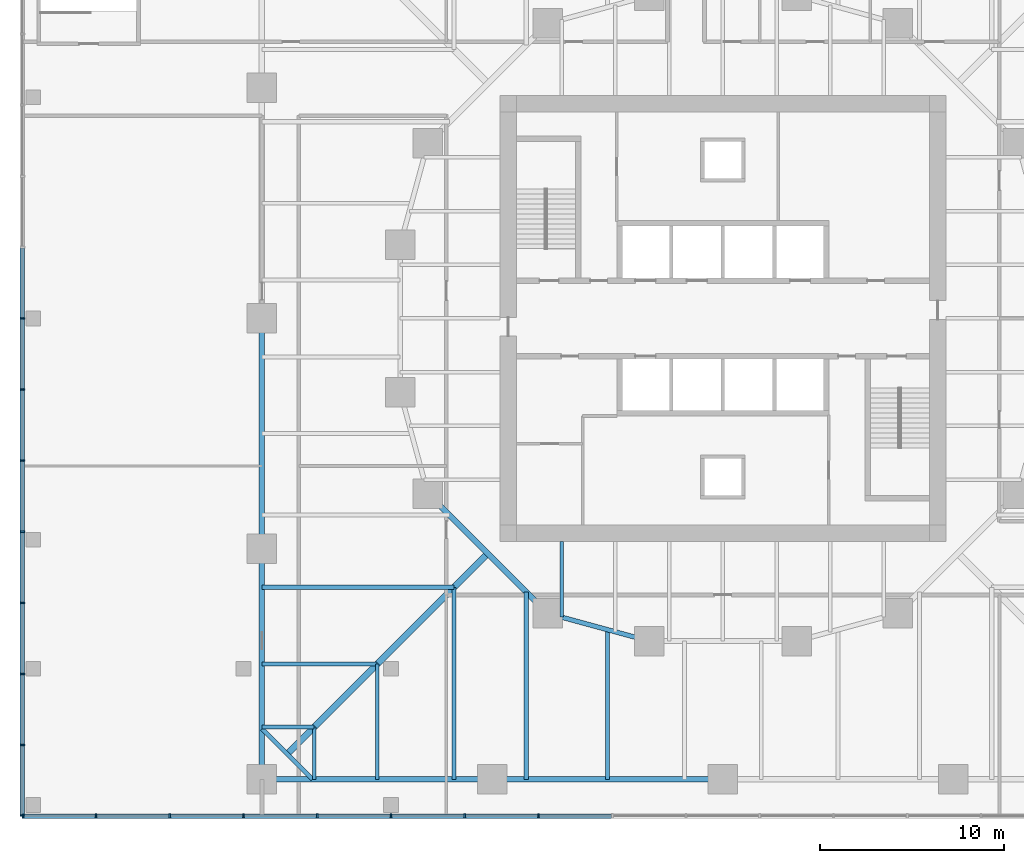
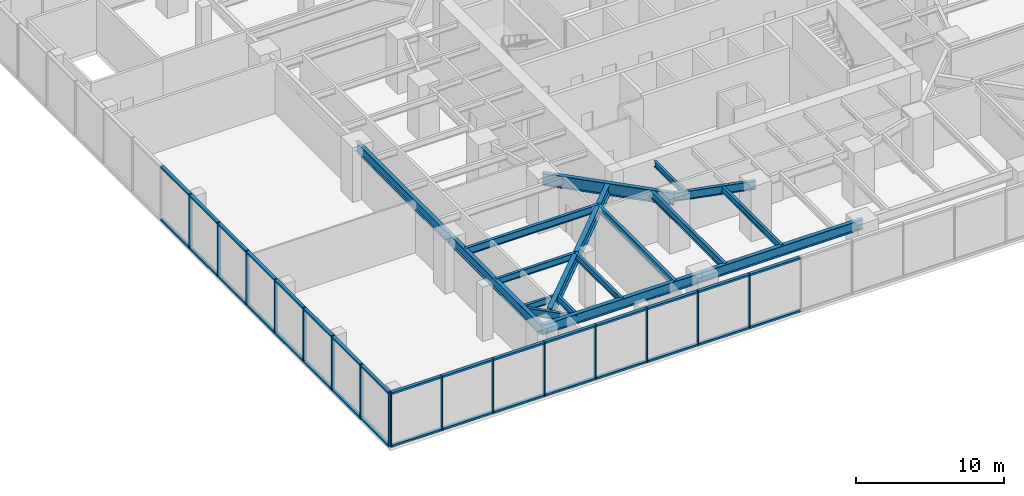
# One storey, part 2 of 14: 48 members, 17 beams, 2 elements without a shape of their own.
"""IFC4 building model written with IfcOpenShell, lengths in metres."""

from ifc_helpers import new_model, si_unit, direction, frame, origin, origin_2d, place, context, subcontext, project, spatial, rectangle, i_section, extrude, material, material_profile, profile_set, type_object, element, aggregate, save


model = new_model("IFC4")

# Units and contexts
model_context = context("Model", 3, precision=1e-05, world=origin(), true_north=direction((0.0, 1.0)))
body_context = subcontext(model_context, "Body", "Model", "MODEL_VIEW")
ifc_project = project(units=[si_unit("LENGTHUNIT", "METRE"), si_unit("AREAUNIT", "SQUARE_METRE"), si_unit("VOLUMEUNIT", "CUBIC_METRE"), si_unit("PLANEANGLEUNIT", "RADIAN"), si_unit("MASSUNIT", "GRAM", prefix="KILO")], contexts=[model_context])

# Site, building, storey
site_placement = place(None, origin())
site = spatial("IfcSite", under=ifc_project, at=site_placement, CompositionType="ELEMENT")
building_placement = place(site_placement, origin())
building = spatial("IfcBuilding", under=site, at=building_placement, Name="Torsade Residences", CompositionType="ELEMENT")
storey_placement = place(building_placement, frame((0.0, 0.0, 10.5)))
storey = spatial("IfcBuildingStorey", under=building, at=storey_placement, Name="L02", CompositionType="ELEMENT", Elevation=10.5)

# Beams
ifc_material_1 = material(Name="Steel grade 300", Category="steel")
ifc_material_profile_1 = material_profile(ifc_material_1, i_section(OverallWidth=0.35009765625, OverallDepth=0.909912109375, WebThickness=0.011962890625, FlangeThickness=0.02490234375, at=origin_2d()), Name="900WB218")
ifc_profile_set_1 = profile_set([ifc_material_profile_1], Name="Steel grade 300")
beam_type_1 = type_object("IfcBeamType", Name="CORNER GIRDER 900WB218", PredefinedType="BEAM", material=ifc_profile_set_1)
beam_1_placement = place(storey_placement, frame((16.375, 6.375, 3.89501953125), z_axis=(0.707106781187, 0.707106781187, 0.0), x_axis=(-0.707106781187, 0.707106781187, 0.0)))
element("IfcBeam", 1, at=beam_1_placement, inside=storey, type_object=beam_type_1, Name="Corner girder 01 L03", PredefinedType="BEAM", context=body_context, shape_type="SweptSolid", body=[
    extrude(i_section(OverallWidth=0.35009765625, OverallDepth=0.909912109375, WebThickness=0.011962890625, FlangeThickness=0.02490234375, at=origin_2d()), origin(), (0.0, 0.0, 1.0), 15.379638671875),
])
ifc_material_2 = material(Name="Steel grade 300", Category="steel")
ifc_material_profile_2 = material_profile(ifc_material_2, i_section(OverallWidth=0.22802734375, OverallDepth=0.60205078125, WebThickness=0.010498046875, FlangeThickness=0.014892578125, FilletRadius=0.013916015625, at=origin_2d()), Name="610UB101")
ifc_profile_set_2 = profile_set([ifc_material_profile_2], Name="Steel grade 300")
beam_type_2 = type_object("IfcBeamType", Name="CORNER TRIMMER 610UB101", PredefinedType="BEAM", material=ifc_profile_set_2)
beam_2_placement = place(storey_placement, frame((17.75, 5.0, 3.84912109375), z_axis=(-0.707106781187, 0.707106781187, 0.0), x_axis=(-0.707106781187, -0.707106781187, 0.0)))
element("IfcBeam", 2, at=beam_2_placement, inside=storey, type_object=beam_type_2, Name="Corner trimmer 01 L03", PredefinedType="BEAM", context=body_context, shape_type="SweptSolid", body=[
    extrude(i_section(OverallWidth=0.22802734375, OverallDepth=0.60205078125, WebThickness=0.010498046875, FlangeThickness=0.014892578125, FilletRadius=0.013916015625, at=origin_2d()), origin(), (0.0, 0.0, 1.0), 3.88916015625),
])
ifc_material_3 = material(Name="Steel grade 300", Category="steel")
ifc_material_profile_3 = material_profile(ifc_material_3, i_section(OverallWidth=0.300048828125, OverallDepth=0.81591796875, WebThickness=0.010009765625, FlangeThickness=0.028076171875, at=origin_2d()), Name="800WB192")
ifc_profile_set_3 = profile_set([ifc_material_profile_3], Name="Steel grade 300")
beam_type_3 = type_object("IfcBeamType", Name="EDGE BEAM 800WB192", PredefinedType="SPANDREL", material=ifc_profile_set_3)
for number, where, z_axis, x_axis, name in (
    (3, (15.0, 5.0, 3.94189453125), (1.0, 0.0, 0.0), (0.0, 1.0, 0.0), "Edge beam 01 L03"),
    (4, (27.5, 5.0, 3.94189453125), (1.0, 0.0, 0.0), (0.0, 1.0, 0.0), "Edge beam 02 L03"),
    (5, (15.0, 30.0, 3.94189453125), (0.0, -1.0, 0.0), (1.0, 0.0, 0.0), "Edge beam 15 L03"),
    (6, (15.0, 17.5, 3.94189453125), (0.0, -1.0, 0.0), (1.0, 0.0, 0.0), "Edge beam 16 L03"),
):
    element("IfcBeam", number, at=place(storey_placement, frame(where, z_axis=z_axis, x_axis=x_axis)), inside=storey, type_object=beam_type_3, Name=name, PredefinedType="SPANDREL", context=body_context, shape_type="SweptSolid", body=[
        extrude(i_section(OverallWidth=0.300048828125, OverallDepth=0.81591796875, WebThickness=0.010009765625, FlangeThickness=0.028076171875, at=origin_2d()), origin(), (0.0, 0.0, 1.0), 12.5),
    ])
ifc_material_4 = material(Name="Steel grade 300", Category="steel")
ifc_material_profile_4 = material_profile(ifc_material_4, i_section(OverallWidth=0.18994140625, OverallDepth=0.4541015625, WebThickness=0.008544921875, FlangeThickness=0.0126953125, FilletRadius=0.011474609375, at=origin_2d()), Name="460UB67.1")
ifc_profile_set_4 = profile_set([ifc_material_profile_4], Name="Steel grade 300")
beam_type_4 = type_object("IfcBeamType", Name="INNER FLOOR BEAM 460UB67.1", PredefinedType="JOIST", material=ifc_profile_set_4)
beam_3_placement = place(storey_placement, frame((31.262451171875, 17.89990234375, 4.123046875), z_axis=(0.0, -1.0, 0.0), x_axis=(1.0, 0.0, 0.0)))
element("IfcBeam", 7, at=beam_3_placement, inside=storey, type_object=beam_type_4, Name="Inner floor beam IS07 L03", PredefinedType="JOIST", context=body_context, shape_type="SweptSolid", body=[
    extrude(i_section(OverallWidth=0.18994140625, OverallDepth=0.4541015625, WebThickness=0.008544921875, FlangeThickness=0.0126953125, FilletRadius=0.011474609375, at=origin_2d()), origin(), (0.0, 0.0, 1.0), 4.10791015625),
])

# Curtain wall, members
ifc_material_5 = material(Name="Aluminium and glass", Category="aluminium")
curtain_wall_type = type_object("IfcCurtainWallType", Name="PODIUM CURTAIN WALL", PredefinedType="NOTDEFINED", material=ifc_material_5)
curtain_wall_1_placement = place(storey_placement, origin())
curtain_wall_1 = element("IfcCurtainWall", 8, at=curtain_wall_1_placement, inside=storey, type_object=curtain_wall_type, Name="Podium curtain wall L02 S", PredefinedType="NOTDEFINED")
ifc_material_6 = material(Name="Aluminium mullion", Category="aluminium")
ifc_material_profile_5 = material_profile(ifc_material_6, rectangle(XDim=0.25, YDim=0.090087890625, at=origin_2d()), Name="PODIUM CURTAIN WALL MULLION 250x90")
ifc_profile_set_5 = profile_set([ifc_material_profile_5], Name="Aluminium mullion")
member_type_1 = type_object("IfcMemberType", Name="PODIUM CURTAIN WALL MULLION 250x90", PredefinedType="MULLION", material=ifc_profile_set_5)
member_1_placement = place(storey_placement, frame((2.044921875, 3.0, 0.0), z_axis=(0.0, 0.0, 1.0), x_axis=(0.0, 1.0, 0.0)))
member_1 = element("IfcMember", 9, at=member_1_placement, type_object=member_type_1, Name="Mullion 1", PredefinedType="MULLION", context=body_context, shape_type="SweptSolid", body=[
    extrude(rectangle(XDim=0.25, YDim=0.090087890625, at=origin_2d()), origin(), (0.0, 0.0, 1.0), 4.5),
])
member_2_placement = place(storey_placement, frame((6.0, 3.0, 0.0), z_axis=(0.0, 0.0, 1.0), x_axis=(0.0, 1.0, 0.0)))
member_2 = element("IfcMember", 10, at=member_2_placement, type_object=member_type_1, Name="Mullion 2", PredefinedType="MULLION", context=body_context, shape_type="SweptSolid", body=[
    extrude(rectangle(XDim=0.25, YDim=0.090087890625, at=origin_2d()), origin(), (0.0, 0.0, 1.0), 4.5),
])
member_3_placement = place(storey_placement, frame((10.0, 3.0, 0.0), z_axis=(0.0, 0.0, 1.0), x_axis=(0.0, 1.0, 0.0)))
member_3 = element("IfcMember", 11, at=member_3_placement, type_object=member_type_1, Name="Mullion 3", PredefinedType="MULLION", context=body_context, shape_type="SweptSolid", body=[
    extrude(rectangle(XDim=0.25, YDim=0.090087890625, at=origin_2d()), origin(), (0.0, 0.0, 1.0), 4.5),
])
member_4_placement = place(storey_placement, frame((14.0, 3.0, 0.0), z_axis=(0.0, 0.0, 1.0), x_axis=(0.0, 1.0, 0.0)))
member_4 = element("IfcMember", 12, at=member_4_placement, type_object=member_type_1, Name="Mullion 4", PredefinedType="MULLION", context=body_context, shape_type="SweptSolid", body=[
    extrude(rectangle(XDim=0.25, YDim=0.090087890625, at=origin_2d()), origin(), (0.0, 0.0, 1.0), 4.5),
])
member_5_placement = place(storey_placement, frame((18.0, 3.0, 0.0), z_axis=(0.0, 0.0, 1.0), x_axis=(0.0, 1.0, 0.0)))
member_5 = element("IfcMember", 13, at=member_5_placement, type_object=member_type_1, Name="Mullion 5", PredefinedType="MULLION", context=body_context, shape_type="SweptSolid", body=[
    extrude(rectangle(XDim=0.25, YDim=0.090087890625, at=origin_2d()), origin(), (0.0, 0.0, 1.0), 4.5),
])
member_6_placement = place(storey_placement, frame((22.0, 3.0, 0.0), z_axis=(0.0, 0.0, 1.0), x_axis=(0.0, 1.0, 0.0)))
member_6 = element("IfcMember", 14, at=member_6_placement, type_object=member_type_1, Name="Mullion 6", PredefinedType="MULLION", context=body_context, shape_type="SweptSolid", body=[
    extrude(rectangle(XDim=0.25, YDim=0.090087890625, at=origin_2d()), origin(), (0.0, 0.0, 1.0), 4.5),
])
member_7_placement = place(storey_placement, frame((26.0, 3.0, 0.0), z_axis=(0.0, 0.0, 1.0), x_axis=(0.0, 1.0, 0.0)))
member_7 = element("IfcMember", 15, at=member_7_placement, type_object=member_type_1, Name="Mullion 7", PredefinedType="MULLION", context=body_context, shape_type="SweptSolid", body=[
    extrude(rectangle(XDim=0.25, YDim=0.090087890625, at=origin_2d()), origin(), (0.0, 0.0, 1.0), 4.5),
])
member_8_placement = place(storey_placement, frame((30.0, 3.0, 0.0), z_axis=(0.0, 0.0, 1.0), x_axis=(0.0, 1.0, 0.0)))
member_8 = element("IfcMember", 16, at=member_8_placement, type_object=member_type_1, Name="Mullion 8", PredefinedType="MULLION", context=body_context, shape_type="SweptSolid", body=[
    extrude(rectangle(XDim=0.25, YDim=0.090087890625, at=origin_2d()), origin(), (0.0, 0.0, 1.0), 4.5),
])

curtain_wall_2_placement = place(storey_placement, origin())
curtain_wall_2 = element("IfcCurtainWall", 17, at=curtain_wall_2_placement, inside=storey, type_object=curtain_wall_type, Name="Podium curtain wall L02 W", PredefinedType="NOTDEFINED")
member_9_placement = place(storey_placement, frame((2.0, 30.0, 0.0), z_axis=(0.0, 0.0, 1.0), x_axis=(1.0, 0.0, 0.0)))
member_9 = element("IfcMember", 18, at=member_9_placement, type_object=member_type_1, Name="Mullion 8", PredefinedType="MULLION", context=body_context, shape_type="SweptSolid", body=[
    extrude(rectangle(XDim=0.25, YDim=0.090087890625, at=origin_2d()), origin(), (0.0, 0.0, 1.0), 4.5),
])
member_10_placement = place(storey_placement, frame((2.0, 26.142822265625, 0.0), z_axis=(0.0, 0.0, 1.0), x_axis=(1.0, 0.0, 0.0)))
member_10 = element("IfcMember", 19, at=member_10_placement, type_object=member_type_1, Name="Mullion 9", PredefinedType="MULLION", context=body_context, shape_type="SweptSolid", body=[
    extrude(rectangle(XDim=0.25, YDim=0.090087890625, at=origin_2d()), origin(), (0.0, 0.0, 1.0), 4.5),
])
member_11_placement = place(storey_placement, frame((2.0, 22.28564453125, 0.0), z_axis=(0.0, 0.0, 1.0), x_axis=(1.0, 0.0, 0.0)))
member_11 = element("IfcMember", 20, at=member_11_placement, type_object=member_type_1, Name="Mullion 10", PredefinedType="MULLION", context=body_context, shape_type="SweptSolid", body=[
    extrude(rectangle(XDim=0.25, YDim=0.090087890625, at=origin_2d()), origin(), (0.0, 0.0, 1.0), 4.5),
])
member_12_placement = place(storey_placement, frame((2.0, 18.428466796875, 0.0), z_axis=(0.0, 0.0, 1.0), x_axis=(1.0, 0.0, 0.0)))
member_12 = element("IfcMember", 21, at=member_12_placement, type_object=member_type_1, Name="Mullion 11", PredefinedType="MULLION", context=body_context, shape_type="SweptSolid", body=[
    extrude(rectangle(XDim=0.25, YDim=0.090087890625, at=origin_2d()), origin(), (0.0, 0.0, 1.0), 4.5),
])
member_13_placement = place(storey_placement, frame((2.0, 14.571533203125, 0.0), z_axis=(0.0, 0.0, 1.0), x_axis=(1.0, 0.0, 0.0)))
member_13 = element("IfcMember", 22, at=member_13_placement, type_object=member_type_1, Name="Mullion 12", PredefinedType="MULLION", context=body_context, shape_type="SweptSolid", body=[
    extrude(rectangle(XDim=0.25, YDim=0.090087890625, at=origin_2d()), origin(), (0.0, 0.0, 1.0), 4.5),
])
member_14_placement = place(storey_placement, frame((2.0, 10.71435546875, 0.0), z_axis=(0.0, 0.0, 1.0), x_axis=(1.0, 0.0, 0.0)))
member_14 = element("IfcMember", 23, at=member_14_placement, type_object=member_type_1, Name="Mullion 13", PredefinedType="MULLION", context=body_context, shape_type="SweptSolid", body=[
    extrude(rectangle(XDim=0.25, YDim=0.090087890625, at=origin_2d()), origin(), (0.0, 0.0, 1.0), 4.5),
])
member_15_placement = place(storey_placement, frame((2.0, 6.857177734375, 0.0), z_axis=(0.0, 0.0, 1.0), x_axis=(1.0, 0.0, 0.0)))
member_15 = element("IfcMember", 24, at=member_15_placement, type_object=member_type_1, Name="Mullion 14", PredefinedType="MULLION", context=body_context, shape_type="SweptSolid", body=[
    extrude(rectangle(XDim=0.25, YDim=0.090087890625, at=origin_2d()), origin(), (0.0, 0.0, 1.0), 4.5),
])
member_16_placement = place(storey_placement, frame((2.0, 3.044921875, 0.0), z_axis=(0.0, 0.0, 1.0), x_axis=(1.0, 0.0, 0.0)))
member_16 = element("IfcMember", 25, at=member_16_placement, type_object=member_type_1, Name="Mullion 15", PredefinedType="MULLION", context=body_context, shape_type="SweptSolid", body=[
    extrude(rectangle(XDim=0.25, YDim=0.090087890625, at=origin_2d()), origin(), (0.0, 0.0, 1.0), 4.5),
])

# Member
ifc_material_7 = material(Name="Aluminium transom", Category="aluminium")
ifc_material_profile_6 = material_profile(ifc_material_7, rectangle(XDim=0.25, YDim=0.14990234375, at=origin_2d()), Name="PODIUM CURTAIN WALL TRANSOM 250x150")
ifc_profile_set_6 = profile_set([ifc_material_profile_6], Name="Aluminium transom")
member_type_2 = type_object("IfcMemberType", Name="PODIUM CURTAIN WALL TRANSOM 250x150", PredefinedType="USERDEFINED", material=ifc_profile_set_6)
member_17_placement = place(storey_placement, frame((2.090087890625, 3.0, 0.074951171875), z_axis=(1.0, 0.0, 0.0), x_axis=(0.0, 1.0, 0.0)))
member_17 = element("IfcMember", 26, at=member_17_placement, type_object=member_type_2, Name="Transom 1.1", ObjectType="TRANSOM", PredefinedType="USERDEFINED", context=body_context, shape_type="SweptSolid", body=[
    extrude(rectangle(XDim=0.25, YDim=0.14990234375, at=origin_2d()), origin(), (0.0, 0.0, 1.0), 3.864990234375),
])

member_18_placement = place(storey_placement, frame((2.090087890625, 3.0, 4.425048828125), z_axis=(1.0, 0.0, 0.0), x_axis=(0.0, 1.0, 0.0)))
member_18 = element("IfcMember", 27, at=member_18_placement, type_object=member_type_2, Name="Transom 1.2", ObjectType="TRANSOM", PredefinedType="USERDEFINED", context=body_context, shape_type="SweptSolid", body=[
    extrude(rectangle(XDim=0.25, YDim=0.14990234375, at=origin_2d()), origin(), (0.0, 0.0, 1.0), 3.864990234375),
])

member_19_placement = place(storey_placement, frame((6.044921875, 3.0, 0.074951171875), z_axis=(1.0, 0.0, 0.0), x_axis=(0.0, 1.0, 0.0)))
member_19 = element("IfcMember", 28, at=member_19_placement, type_object=member_type_2, Name="Transom 2.1", ObjectType="TRANSOM", PredefinedType="USERDEFINED", context=body_context, shape_type="SweptSolid", body=[
    extrude(rectangle(XDim=0.25, YDim=0.14990234375, at=origin_2d()), origin(), (0.0, 0.0, 1.0), 3.91015625),
])

member_20_placement = place(storey_placement, frame((6.044921875, 3.0, 4.425048828125), z_axis=(1.0, 0.0, 0.0), x_axis=(0.0, 1.0, 0.0)))
member_20 = element("IfcMember", 29, at=member_20_placement, type_object=member_type_2, Name="Transom 2.2", ObjectType="TRANSOM", PredefinedType="USERDEFINED", context=body_context, shape_type="SweptSolid", body=[
    extrude(rectangle(XDim=0.25, YDim=0.14990234375, at=origin_2d()), origin(), (0.0, 0.0, 1.0), 3.91015625),
])

member_21_placement = place(storey_placement, frame((10.044921875, 3.0, 0.074951171875), z_axis=(1.0, 0.0, 0.0), x_axis=(0.0, 1.0, 0.0)))
member_21 = element("IfcMember", 30, at=member_21_placement, type_object=member_type_2, Name="Transom 3.1", ObjectType="TRANSOM", PredefinedType="USERDEFINED", context=body_context, shape_type="SweptSolid", body=[
    extrude(rectangle(XDim=0.25, YDim=0.14990234375, at=origin_2d()), origin(), (0.0, 0.0, 1.0), 3.91015625),
])

member_22_placement = place(storey_placement, frame((10.044921875, 3.0, 4.425048828125), z_axis=(1.0, 0.0, 0.0), x_axis=(0.0, 1.0, 0.0)))
member_22 = element("IfcMember", 31, at=member_22_placement, type_object=member_type_2, Name="Transom 3.2", ObjectType="TRANSOM", PredefinedType="USERDEFINED", context=body_context, shape_type="SweptSolid", body=[
    extrude(rectangle(XDim=0.25, YDim=0.14990234375, at=origin_2d()), origin(), (0.0, 0.0, 1.0), 3.91015625),
])

member_23_placement = place(storey_placement, frame((14.044921875, 3.0, 0.074951171875), z_axis=(1.0, 0.0, 0.0), x_axis=(0.0, 1.0, 0.0)))
member_23 = element("IfcMember", 32, at=member_23_placement, type_object=member_type_2, Name="Transom 4.1", ObjectType="TRANSOM", PredefinedType="USERDEFINED", context=body_context, shape_type="SweptSolid", body=[
    extrude(rectangle(XDim=0.25, YDim=0.14990234375, at=origin_2d()), origin(), (0.0, 0.0, 1.0), 3.91015625),
])

member_24_placement = place(storey_placement, frame((14.044921875, 3.0, 4.425048828125), z_axis=(1.0, 0.0, 0.0), x_axis=(0.0, 1.0, 0.0)))
member_24 = element("IfcMember", 33, at=member_24_placement, type_object=member_type_2, Name="Transom 4.2", ObjectType="TRANSOM", PredefinedType="USERDEFINED", context=body_context, shape_type="SweptSolid", body=[
    extrude(rectangle(XDim=0.25, YDim=0.14990234375, at=origin_2d()), origin(), (0.0, 0.0, 1.0), 3.91015625),
])

member_25_placement = place(storey_placement, frame((18.044921875, 3.0, 0.074951171875), z_axis=(1.0, 0.0, 0.0), x_axis=(0.0, 1.0, 0.0)))
member_25 = element("IfcMember", 34, at=member_25_placement, type_object=member_type_2, Name="Transom 5.1", ObjectType="TRANSOM", PredefinedType="USERDEFINED", context=body_context, shape_type="SweptSolid", body=[
    extrude(rectangle(XDim=0.25, YDim=0.14990234375, at=origin_2d()), origin(), (0.0, 0.0, 1.0), 3.91015625),
])

member_26_placement = place(storey_placement, frame((18.044921875, 3.0, 4.425048828125), z_axis=(1.0, 0.0, 0.0), x_axis=(0.0, 1.0, 0.0)))
member_26 = element("IfcMember", 35, at=member_26_placement, type_object=member_type_2, Name="Transom 5.2", ObjectType="TRANSOM", PredefinedType="USERDEFINED", context=body_context, shape_type="SweptSolid", body=[
    extrude(rectangle(XDim=0.25, YDim=0.14990234375, at=origin_2d()), origin(), (0.0, 0.0, 1.0), 3.91015625),
])

member_27_placement = place(storey_placement, frame((22.044921875, 3.0, 0.074951171875), z_axis=(1.0, 0.0, 0.0), x_axis=(0.0, 1.0, 0.0)))
member_27 = element("IfcMember", 36, at=member_27_placement, type_object=member_type_2, Name="Transom 6.1", ObjectType="TRANSOM", PredefinedType="USERDEFINED", context=body_context, shape_type="SweptSolid", body=[
    extrude(rectangle(XDim=0.25, YDim=0.14990234375, at=origin_2d()), origin(), (0.0, 0.0, 1.0), 3.91015625),
])

member_28_placement = place(storey_placement, frame((22.044921875, 3.0, 4.425048828125), z_axis=(1.0, 0.0, 0.0), x_axis=(0.0, 1.0, 0.0)))
member_28 = element("IfcMember", 37, at=member_28_placement, type_object=member_type_2, Name="Transom 6.2", ObjectType="TRANSOM", PredefinedType="USERDEFINED", context=body_context, shape_type="SweptSolid", body=[
    extrude(rectangle(XDim=0.25, YDim=0.14990234375, at=origin_2d()), origin(), (0.0, 0.0, 1.0), 3.91015625),
])

member_29_placement = place(storey_placement, frame((26.044921875, 3.0, 0.074951171875), z_axis=(1.0, 0.0, 0.0), x_axis=(0.0, 1.0, 0.0)))
member_29 = element("IfcMember", 38, at=member_29_placement, type_object=member_type_2, Name="Transom 7.1", ObjectType="TRANSOM", PredefinedType="USERDEFINED", context=body_context, shape_type="SweptSolid", body=[
    extrude(rectangle(XDim=0.25, YDim=0.14990234375, at=origin_2d()), origin(), (0.0, 0.0, 1.0), 3.91015625),
])

member_30_placement = place(storey_placement, frame((26.044921875, 3.0, 4.425048828125), z_axis=(1.0, 0.0, 0.0), x_axis=(0.0, 1.0, 0.0)))
member_30 = element("IfcMember", 39, at=member_30_placement, type_object=member_type_2, Name="Transom 7.2", ObjectType="TRANSOM", PredefinedType="USERDEFINED", context=body_context, shape_type="SweptSolid", body=[
    extrude(rectangle(XDim=0.25, YDim=0.14990234375, at=origin_2d()), origin(), (0.0, 0.0, 1.0), 3.91015625),
])

member_31_placement = place(storey_placement, frame((30.044921875, 3.0, 0.074951171875), z_axis=(1.0, 0.0, 0.0), x_axis=(0.0, 1.0, 0.0)))
member_31 = element("IfcMember", 40, at=member_31_placement, type_object=member_type_2, Name="Transom 8.1", ObjectType="TRANSOM", PredefinedType="USERDEFINED", context=body_context, shape_type="SweptSolid", body=[
    extrude(rectangle(XDim=0.25, YDim=0.14990234375, at=origin_2d()), origin(), (0.0, 0.0, 1.0), 3.91015625),
])

member_32_placement = place(storey_placement, frame((30.044921875, 3.0, 4.425048828125), z_axis=(1.0, 0.0, 0.0), x_axis=(0.0, 1.0, 0.0)))
member_32 = element("IfcMember", 41, at=member_32_placement, type_object=member_type_2, Name="Transom 8.2", ObjectType="TRANSOM", PredefinedType="USERDEFINED", context=body_context, shape_type="SweptSolid", body=[
    extrude(rectangle(XDim=0.25, YDim=0.14990234375, at=origin_2d()), origin(), (0.0, 0.0, 1.0), 3.91015625),
])

aggregate(curtain_wall_1, [member_1, member_2, member_3, member_4, member_5, member_6, member_7, member_8, member_17, member_18, member_19, member_20, member_21, member_22, member_23, member_24, member_25, member_26, member_27, member_28, member_29, member_30, member_31, member_32])

member_33_placement = place(storey_placement, frame((2.0, 33.812255859375, 0.074951171875), z_axis=(0.0, -1.0, 0.0), x_axis=(1.0, 0.0, 0.0)))
member_33 = element("IfcMember", 42, at=member_33_placement, type_object=member_type_2, Name="Transom 7.1", ObjectType="TRANSOM", PredefinedType="USERDEFINED", context=body_context, shape_type="SweptSolid", body=[
    extrude(rectangle(XDim=0.25, YDim=0.14990234375, at=origin_2d()), origin(), (0.0, 0.0, 1.0), 3.767333984375),
])

member_34_placement = place(storey_placement, frame((2.0, 33.812255859375, 4.425048828125), z_axis=(0.0, -1.0, 0.0), x_axis=(1.0, 0.0, 0.0)))
member_34 = element("IfcMember", 43, at=member_34_placement, type_object=member_type_2, Name="Transom 7.2", ObjectType="TRANSOM", PredefinedType="USERDEFINED", context=body_context, shape_type="SweptSolid", body=[
    extrude(rectangle(XDim=0.25, YDim=0.14990234375, at=origin_2d()), origin(), (0.0, 0.0, 1.0), 3.767333984375),
])

member_35_placement = place(storey_placement, frame((2.0, 29.955078125, 0.074951171875), z_axis=(0.0, -1.0, 0.0), x_axis=(1.0, 0.0, 0.0)))
member_35 = element("IfcMember", 44, at=member_35_placement, type_object=member_type_2, Name="Transom 8.1", ObjectType="TRANSOM", PredefinedType="USERDEFINED", context=body_context, shape_type="SweptSolid", body=[
    extrude(rectangle(XDim=0.25, YDim=0.14990234375, at=origin_2d()), origin(), (0.0, 0.0, 1.0), 3.767333984375),
])

member_36_placement = place(storey_placement, frame((2.0, 29.955078125, 4.425048828125), z_axis=(0.0, -1.0, 0.0), x_axis=(1.0, 0.0, 0.0)))
member_36 = element("IfcMember", 45, at=member_36_placement, type_object=member_type_2, Name="Transom 8.2", ObjectType="TRANSOM", PredefinedType="USERDEFINED", context=body_context, shape_type="SweptSolid", body=[
    extrude(rectangle(XDim=0.25, YDim=0.14990234375, at=origin_2d()), origin(), (0.0, 0.0, 1.0), 3.767333984375),
])

member_37_placement = place(storey_placement, frame((2.0, 26.097900390625, 0.074951171875), z_axis=(0.0, -1.0, 0.0), x_axis=(1.0, 0.0, 0.0)))
member_37 = element("IfcMember", 46, at=member_37_placement, type_object=member_type_2, Name="Transom 9.1", ObjectType="TRANSOM", PredefinedType="USERDEFINED", context=body_context, shape_type="SweptSolid", body=[
    extrude(rectangle(XDim=0.25, YDim=0.14990234375, at=origin_2d()), origin(), (0.0, 0.0, 1.0), 3.76708984375),
])

member_38_placement = place(storey_placement, frame((2.0, 26.097900390625, 4.425048828125), z_axis=(0.0, -1.0, 0.0), x_axis=(1.0, 0.0, 0.0)))
member_38 = element("IfcMember", 47, at=member_38_placement, type_object=member_type_2, Name="Transom 9.2", ObjectType="TRANSOM", PredefinedType="USERDEFINED", context=body_context, shape_type="SweptSolid", body=[
    extrude(rectangle(XDim=0.25, YDim=0.14990234375, at=origin_2d()), origin(), (0.0, 0.0, 1.0), 3.76708984375),
])

member_39_placement = place(storey_placement, frame((2.0, 22.24072265625, 0.074951171875), z_axis=(0.0, -1.0, 0.0), x_axis=(1.0, 0.0, 0.0)))
member_39 = element("IfcMember", 48, at=member_39_placement, type_object=member_type_2, Name="Transom 10.1", ObjectType="TRANSOM", PredefinedType="USERDEFINED", context=body_context, shape_type="SweptSolid", body=[
    extrude(rectangle(XDim=0.25, YDim=0.14990234375, at=origin_2d()), origin(), (0.0, 0.0, 1.0), 3.76708984375),
])

member_40_placement = place(storey_placement, frame((2.0, 22.24072265625, 4.425048828125), z_axis=(0.0, -1.0, 0.0), x_axis=(1.0, 0.0, 0.0)))
member_40 = element("IfcMember", 49, at=member_40_placement, type_object=member_type_2, Name="Transom 10.2", ObjectType="TRANSOM", PredefinedType="USERDEFINED", context=body_context, shape_type="SweptSolid", body=[
    extrude(rectangle(XDim=0.25, YDim=0.14990234375, at=origin_2d()), origin(), (0.0, 0.0, 1.0), 3.76708984375),
])

member_41_placement = place(storey_placement, frame((2.0, 18.383544921875, 0.074951171875), z_axis=(0.0, -1.0, 0.0), x_axis=(1.0, 0.0, 0.0)))
member_41 = element("IfcMember", 50, at=member_41_placement, type_object=member_type_2, Name="Transom 11.1", ObjectType="TRANSOM", PredefinedType="USERDEFINED", context=body_context, shape_type="SweptSolid", body=[
    extrude(rectangle(XDim=0.25, YDim=0.14990234375, at=origin_2d()), origin(), (0.0, 0.0, 1.0), 3.76708984375),
])

member_42_placement = place(storey_placement, frame((2.0, 18.383544921875, 4.425048828125), z_axis=(0.0, -1.0, 0.0), x_axis=(1.0, 0.0, 0.0)))
member_42 = element("IfcMember", 51, at=member_42_placement, type_object=member_type_2, Name="Transom 11.2", ObjectType="TRANSOM", PredefinedType="USERDEFINED", context=body_context, shape_type="SweptSolid", body=[
    extrude(rectangle(XDim=0.25, YDim=0.14990234375, at=origin_2d()), origin(), (0.0, 0.0, 1.0), 3.76708984375),
])

member_43_placement = place(storey_placement, frame((2.0, 14.5263671875, 0.074951171875), z_axis=(0.0, -1.0, 0.0), x_axis=(1.0, 0.0, 0.0)))
member_43 = element("IfcMember", 52, at=member_43_placement, type_object=member_type_2, Name="Transom 12.1", ObjectType="TRANSOM", PredefinedType="USERDEFINED", context=body_context, shape_type="SweptSolid", body=[
    extrude(rectangle(XDim=0.25, YDim=0.14990234375, at=origin_2d()), origin(), (0.0, 0.0, 1.0), 3.76708984375),
])

member_44_placement = place(storey_placement, frame((2.0, 14.5263671875, 4.425048828125), z_axis=(0.0, -1.0, 0.0), x_axis=(1.0, 0.0, 0.0)))
member_44 = element("IfcMember", 53, at=member_44_placement, type_object=member_type_2, Name="Transom 12.2", ObjectType="TRANSOM", PredefinedType="USERDEFINED", context=body_context, shape_type="SweptSolid", body=[
    extrude(rectangle(XDim=0.25, YDim=0.14990234375, at=origin_2d()), origin(), (0.0, 0.0, 1.0), 3.76708984375),
])

member_45_placement = place(storey_placement, frame((2.0, 10.669189453125, 0.074951171875), z_axis=(0.0, -1.0, 0.0), x_axis=(1.0, 0.0, 0.0)))
member_45 = element("IfcMember", 54, at=member_45_placement, type_object=member_type_2, Name="Transom 13.1", ObjectType="TRANSOM", PredefinedType="USERDEFINED", context=body_context, shape_type="SweptSolid", body=[
    extrude(rectangle(XDim=0.25, YDim=0.14990234375, at=origin_2d()), origin(), (0.0, 0.0, 1.0), 3.76708984375),
])

member_46_placement = place(storey_placement, frame((2.0, 10.669189453125, 4.425048828125), z_axis=(0.0, -1.0, 0.0), x_axis=(1.0, 0.0, 0.0)))
member_46 = element("IfcMember", 55, at=member_46_placement, type_object=member_type_2, Name="Transom 13.2", ObjectType="TRANSOM", PredefinedType="USERDEFINED", context=body_context, shape_type="SweptSolid", body=[
    extrude(rectangle(XDim=0.25, YDim=0.14990234375, at=origin_2d()), origin(), (0.0, 0.0, 1.0), 3.76708984375),
])

member_47_placement = place(storey_placement, frame((2.0, 6.812255859375, 0.074951171875), z_axis=(0.0, -1.0, 0.0), x_axis=(1.0, 0.0, 0.0)))
member_47 = element("IfcMember", 56, at=member_47_placement, type_object=member_type_2, Name="Transom 14.1", ObjectType="TRANSOM", PredefinedType="USERDEFINED", context=body_context, shape_type="SweptSolid", body=[
    extrude(rectangle(XDim=0.25, YDim=0.14990234375, at=origin_2d()), origin(), (0.0, 0.0, 1.0), 3.72216796875),
])

member_48_placement = place(storey_placement, frame((2.0, 6.812255859375, 4.425048828125), z_axis=(0.0, -1.0, 0.0), x_axis=(1.0, 0.0, 0.0)))
member_48 = element("IfcMember", 57, at=member_48_placement, type_object=member_type_2, Name="Transom 14.2", ObjectType="TRANSOM", PredefinedType="USERDEFINED", context=body_context, shape_type="SweptSolid", body=[
    extrude(rectangle(XDim=0.25, YDim=0.14990234375, at=origin_2d()), origin(), (0.0, 0.0, 1.0), 3.72216796875),
])

aggregate(curtain_wall_2, [member_9, member_10, member_11, member_12, member_13, member_14, member_15, member_16, member_33, member_34, member_35, member_36, member_37, member_38, member_39, member_40, member_41, member_42, member_43, member_44, member_45, member_46, member_47, member_48])

# Beams
ifc_material_8 = material(Name="Steel grade 300", Category="steel")
ifc_material_profile_7 = material_profile(ifc_material_8, i_section(OverallWidth=0.300048828125, OverallDepth=1.0, WebThickness=0.01611328125, FlangeThickness=0.028076171875, at=origin_2d()), Name="1000WB215")
ifc_profile_set_7 = profile_set([ifc_material_profile_7], Name="Steel grade 300")
beam_type_5 = type_object("IfcBeamType", Name="RING CORNER GIRDER 1000WB215", PredefinedType="BEAM", material=ifc_profile_set_7)
beam_4_placement = place(storey_placement, frame((24.0, 20.5, 3.85009765625), z_axis=(0.707106781187, -0.707106781187, 0.0), x_axis=(0.707106781187, 0.707106781187, 0.0)))
element("IfcBeam", 58, at=beam_4_placement, inside=storey, type_object=beam_type_5, Name="Ring girder IR11 L03", PredefinedType="BEAM", context=body_context, shape_type="SweptSolid", body=[
    extrude(i_section(OverallWidth=0.300048828125, OverallDepth=1.0, WebThickness=0.01611328125, FlangeThickness=0.028076171875, at=origin_2d()), origin(), (0.0, 0.0, 1.0), 9.1923828125),
])
ifc_material_9 = material(Name="Steel grade 300", Category="steel")
ifc_material_profile_8 = material_profile(ifc_material_9, i_section(OverallWidth=0.25, OverallDepth=0.699951171875, WebThickness=0.010009765625, FlangeThickness=0.02001953125, at=origin_2d()), Name="700WB130")
ifc_profile_set_8 = profile_set([ifc_material_profile_8], Name="Steel grade 300")
beam_type_6 = type_object("IfcBeamType", Name="RING GIRDER 700WB130", PredefinedType="BEAM", material=ifc_profile_set_8)
beam_5_placement = place(storey_placement, frame((30.5, 14.0, 4.0), z_axis=(0.964763821238, -0.263117405792, 0.0), x_axis=(0.263117405792, 0.964763821238, 0.0)))
element("IfcBeam", 59, at=beam_5_placement, inside=storey, type_object=beam_type_6, Name="Ring girder IR12 L03", PredefinedType="BEAM", context=body_context, shape_type="SweptSolid", body=[
    extrude(i_section(OverallWidth=0.25, OverallDepth=0.699951171875, WebThickness=0.010009765625, FlangeThickness=0.02001953125, at=origin_2d()), origin(), (0.0, 0.0, 1.0), 5.700927734375),
])
ifc_material_10 = material(Name="Steel grade 300", Category="steel")
ifc_material_profile_9 = material_profile(ifc_material_10, i_section(OverallWidth=0.208984375, OverallDepth=0.528076171875, WebThickness=0.009521484375, FlangeThickness=0.01318359375, FilletRadius=0.013916015625, at=origin_2d()), Name="530UB82.0")
ifc_profile_set_9 = profile_set([ifc_material_profile_9], Name="Steel grade 300")
beam_type_7 = type_object("IfcBeamType", Name="SECONDARY BEAM 530UB82.0", PredefinedType="JOIST", material=ifc_profile_set_9)
beam_6_placement = place(storey_placement, frame((17.833251953125, 5.0, 3.885986328125), z_axis=(0.0, 1.0, 0.0), x_axis=(-1.0, 0.0, 0.0)))
element("IfcBeam", 60, at=beam_6_placement, inside=storey, type_object=beam_type_7, Name="Floor beam FS01 L03", PredefinedType="JOIST", context=body_context, shape_type="SweptSolid", body=[
    extrude(i_section(OverallWidth=0.208984375, OverallDepth=0.528076171875, WebThickness=0.009521484375, FlangeThickness=0.01318359375, FilletRadius=0.013916015625, at=origin_2d()), origin(), (0.0, 0.0, 1.0), 2.833251953125),
])
beam_7_placement = place(storey_placement, frame((21.25, 5.0, 4.0859375), z_axis=(0.0, 1.0, 0.0), x_axis=(-1.0, 0.0, 0.0)))
element("IfcBeam", 61, at=beam_7_placement, inside=storey, type_object=beam_type_7, Name="Floor beam FS02 L03", PredefinedType="JOIST", context=body_context, shape_type="SweptSolid", body=[
    extrude(i_section(OverallWidth=0.208984375, OverallDepth=0.528076171875, WebThickness=0.009521484375, FlangeThickness=0.01318359375, FilletRadius=0.013916015625, at=origin_2d()), origin(), (0.0, 0.0, 1.0), 6.25),
])
beam_8_placement = place(storey_placement, frame((33.75, 5.0, 4.0859375), z_axis=(0.0, 1.0, 0.0), x_axis=(-1.0, 0.0, 0.0)))
element("IfcBeam", 62, at=beam_8_placement, inside=storey, type_object=beam_type_7, Name="Floor beam FS05 L03", PredefinedType="JOIST", context=body_context, shape_type="SweptSolid", body=[
    extrude(i_section(OverallWidth=0.208984375, OverallDepth=0.528076171875, WebThickness=0.009521484375, FlangeThickness=0.01318359375, FilletRadius=0.013916015625, at=origin_2d()), origin(), (0.0, 0.0, 1.0), 8.113525390625),
])
beam_9_placement = place(storey_placement, frame((15.0, 11.25, 4.0859375), z_axis=(1.0, 0.0, 0.0), x_axis=(0.0, 1.0, 0.0)))
element("IfcBeam", 63, at=beam_9_placement, inside=storey, type_object=beam_type_7, Name="Floor beam FW11 L03", PredefinedType="JOIST", context=body_context, shape_type="SweptSolid", body=[
    extrude(i_section(OverallWidth=0.208984375, OverallDepth=0.528076171875, WebThickness=0.009521484375, FlangeThickness=0.01318359375, FilletRadius=0.013916015625, at=origin_2d()), origin(), (0.0, 0.0, 1.0), 6.25),
])
beam_10_placement = place(storey_placement, frame((15.0, 7.833251953125, 3.885986328125), z_axis=(1.0, 0.0, 0.0), x_axis=(0.0, 1.0, 0.0)))
element("IfcBeam", 64, at=beam_10_placement, inside=storey, type_object=beam_type_7, Name="Floor beam FW12 L03", PredefinedType="JOIST", context=body_context, shape_type="SweptSolid", body=[
    extrude(i_section(OverallWidth=0.208984375, OverallDepth=0.528076171875, WebThickness=0.009521484375, FlangeThickness=0.01318359375, FilletRadius=0.013916015625, at=origin_2d()), origin(), (0.0, 0.0, 1.0), 2.833251953125),
])
ifc_material_11 = material(Name="Steel grade 300", Category="steel")
ifc_material_profile_10 = material_profile(ifc_material_11, i_section(OverallWidth=0.22900390625, OverallDepth=0.612060546875, WebThickness=0.011962890625, FlangeThickness=0.01953125, FilletRadius=0.013916015625, at=origin_2d()), Name="610UB125")
ifc_profile_set_10 = profile_set([ifc_material_profile_10], Name="Steel grade 300")
beam_type_8 = type_object("IfcBeamType", Name="SECONDARY BEAM 610UB125", PredefinedType="JOIST", material=ifc_profile_set_10)
beam_11_placement = place(storey_placement, frame((25.416748046875, 5.0, 4.0439453125), z_axis=(0.0, 1.0, 0.0), x_axis=(-1.0, 0.0, 0.0)))
element("IfcBeam", 65, at=beam_11_placement, inside=storey, type_object=beam_type_8, Name="Floor beam FS03 L03", PredefinedType="JOIST", context=body_context, shape_type="SweptSolid", body=[
    extrude(i_section(OverallWidth=0.22900390625, OverallDepth=0.612060546875, WebThickness=0.011962890625, FlangeThickness=0.01953125, FilletRadius=0.013916015625, at=origin_2d()), origin(), (0.0, 0.0, 1.0), 10.416748046875),
])
beam_12_placement = place(storey_placement, frame((29.333251953125, 5.0, 4.0439453125), z_axis=(0.0, 1.0, 0.0), x_axis=(-1.0, 0.0, 0.0)))
element("IfcBeam", 66, at=beam_12_placement, inside=storey, type_object=beam_type_8, Name="Floor beam FS04 L03", PredefinedType="JOIST", context=body_context, shape_type="SweptSolid", body=[
    extrude(i_section(OverallWidth=0.22900390625, OverallDepth=0.612060546875, WebThickness=0.011962890625, FlangeThickness=0.01953125, FilletRadius=0.013916015625, at=origin_2d()), origin(), (0.0, 0.0, 1.0), 10.166748046875),
])
beam_13_placement = place(storey_placement, frame((15.0, 15.416748046875, 4.0439453125), z_axis=(1.0, 0.0, 0.0), x_axis=(0.0, 1.0, 0.0)))
element("IfcBeam", 67, at=beam_13_placement, inside=storey, type_object=beam_type_8, Name="Floor beam FW10 L03", PredefinedType="JOIST", context=body_context, shape_type="SweptSolid", body=[
    extrude(i_section(OverallWidth=0.22900390625, OverallDepth=0.612060546875, WebThickness=0.011962890625, FlangeThickness=0.01953125, FilletRadius=0.013916015625, at=origin_2d()), origin(), (0.0, 0.0, 1.0), 10.416748046875),
])

save(model, "model.ifc")
